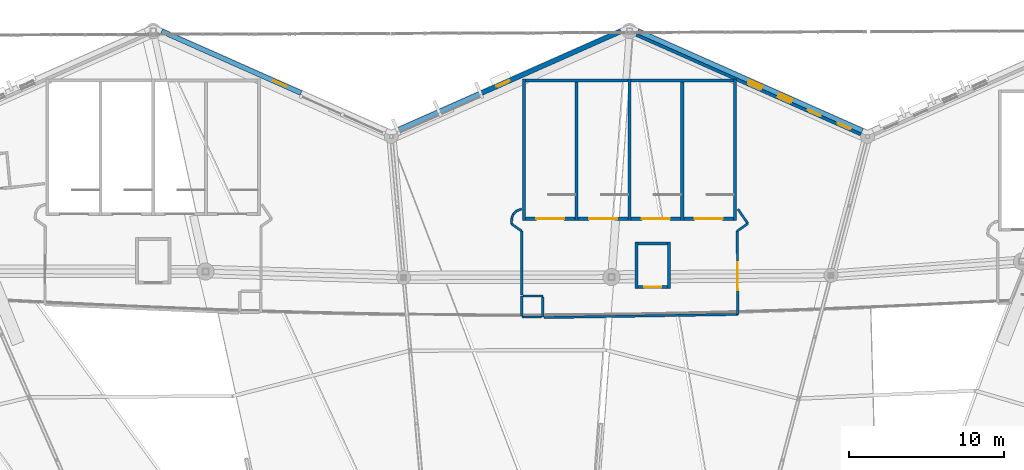
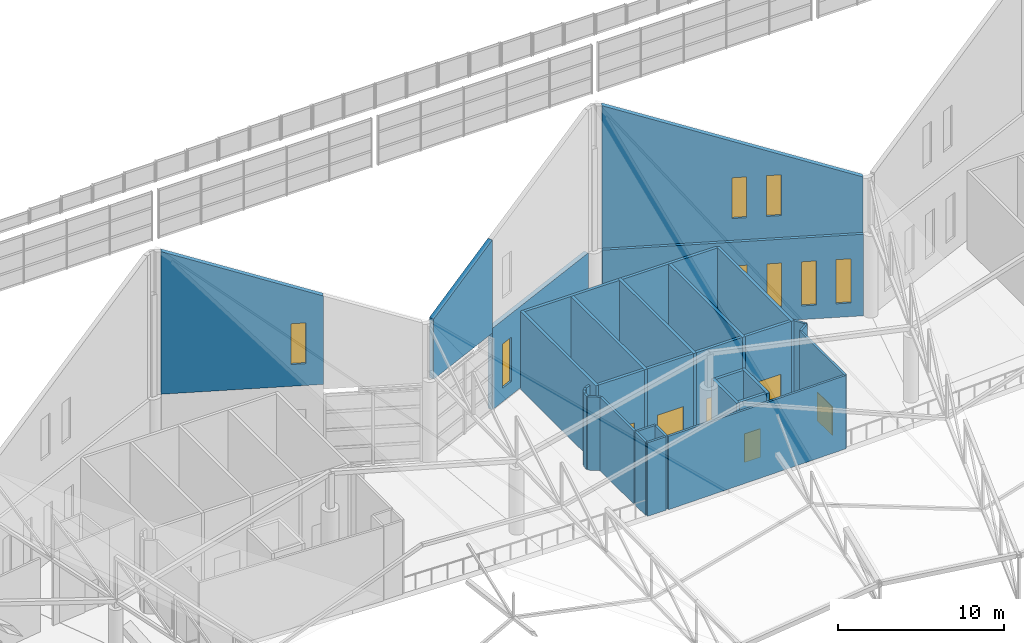
# One storey, part 267 of 344: 34 walls, 8 windows, 6 doors, 14 openings.
"""IFC4 building model written with IfcOpenShell, lengths in metres."""

from ifc_helpers import new_model, si_unit, direction, frame, frame_2d, origin, place, context, subcontext, project, spatial, polyline, rectangle, outline, extrude, material, layer, layer_set, type_object, element, fill, save


model = new_model("IFC4")

# Units and contexts
model_context = context("Model", 3, precision=1e-05, world=origin(), true_north=direction((0.0, 1.0)))
body_context = subcontext(model_context, "Body", "Model", "MODEL_VIEW")
ifc_project = project(units=[si_unit("LENGTHUNIT", "METRE"), si_unit("AREAUNIT", "SQUARE_METRE"), si_unit("VOLUMEUNIT", "CUBIC_METRE"), si_unit("PLANEANGLEUNIT", "RADIAN"), si_unit("MASSUNIT", "GRAM", prefix="KILO")], contexts=[model_context])

# Site, building, storey
site_placement = place(None, origin())
site = spatial("IfcSite", under=ifc_project, at=site_placement, CompositionType="ELEMENT")
building_placement = place(site_placement, origin())
building = spatial("IfcBuilding", under=site, at=building_placement, Name="Meseta Stadium", CompositionType="ELEMENT")
storey_placement = place(building_placement, frame((0.0, 0.0, 24.0)))
storey = spatial("IfcBuildingStorey", under=building, at=storey_placement, Name="L04", CompositionType="ELEMENT", Elevation=24.0)

# Walls
ifc_material_1 = material(Name="Concrete C40/50", Category="concrete")
ifc_layer_1 = layer(ifc_material_1, 0.199951171875)
ifc_layer_set_1 = layer_set([ifc_layer_1], Name="Core divider wall 200")
wall_type_1 = type_object("IfcWallType", Name="Core divider wall 200", PredefinedType="SHEAR", material=ifc_layer_set_1)
for number, where, z_axis, x_axis, name in (
    (1, (11.066650390625, 102.300048828125, 0.0), (0.0, 0.0, 1.0), (0.0, -1.0, 0.0), "Core 10 L04 stair A divider wall"),
    (2, (4.2666015625, 102.300048828125, 0.0), (0.0, 0.0, 1.0), (0.0, -1.0, 0.0), "Core 10 L04 stair B divider wall"),
):
    element("IfcWall", number, at=place(storey_placement, frame(where, z_axis=z_axis, x_axis=x_axis)), inside=storey, type_object=wall_type_1, Name=name, PredefinedType="SHEAR", context=body_context, shape_type="SweptSolid", body=[
        extrude(rectangle(XDim=9.10009765625, YDim=0.199951171875, at=frame_2d((4.550048828125, 0.0))), origin(), (0.0, 0.0, 1.0), 5.75),
    ])
ifc_material_2 = material(Name="Concrete C40/50", Category="concrete")
ifc_layer_2 = layer(ifc_material_2, 0.199951171875)
ifc_layer_set_2 = layer_set([ifc_layer_2], Name="Core shaft wall 200")
wall_type_2 = type_object("IfcWallType", Name="Core shaft wall 200", PredefinedType="SHEAR", material=ifc_layer_set_2)
for number, where, z_axis, x_axis, name in (
    (3, (14.466796875, 102.300048828125, 0.0), (0.0, 0.0, 1.0), (0.0, -1.0, 0.0), "Core 10 L04 stair wall A-side"),
    (4, (7.666748046875, 102.300048828125, 0.0), (0.0, 0.0, 1.0), (0.0, -1.0, 0.0), "Core 10 L04 stair wall shared"),
    (5, (0.86669921875, 102.300048828125, 0.0), (0.0, 0.0, 1.0), (0.0, -1.0, 0.0), "Core 10 L04 stair wall B-side"),
):
    element("IfcWall", number, at=place(storey_placement, frame(where, z_axis=z_axis, x_axis=x_axis)), inside=storey, type_object=wall_type_2, Name=name, PredefinedType="SHEAR", context=body_context, shape_type="SweptSolid", body=[
        extrude(rectangle(XDim=9.10009765625, YDim=0.199951171875, at=frame_2d((4.550048828125, 0.0))), origin(), (0.0, 0.0, 1.0), 5.75),
    ])
wall_1_placement = place(storey_placement, frame((14.36669921875, 102.199951171875, 0.0), z_axis=(0.0, 0.0, 1.0), x_axis=(-1.0, 0.0, 0.0)))
element("IfcWall", 6, at=wall_1_placement, inside=storey, type_object=wall_type_2, Name="Core 10 L04 stair A outer end wall", PredefinedType="SHEAR", context=body_context, shape_type="SweptSolid", body=[
    extrude(rectangle(XDim=6.60009765625, YDim=0.199951171875, at=frame_2d((3.300048828125, 0.0))), origin(), (0.0, 0.0, 1.0), 5.75),
])
wall_2_placement = place(storey_placement, frame((7.566650390625, 102.199951171875, 0.0), z_axis=(0.0, 0.0, 1.0), x_axis=(-1.0, 0.0, 0.0)))
element("IfcWall", 7, at=wall_2_placement, inside=storey, type_object=wall_type_2, Name="Core 10 L04 stair B outer end wall", PredefinedType="SHEAR", context=body_context, shape_type="SweptSolid", body=[
    extrude(rectangle(XDim=6.599853515625, YDim=0.199951171875, at=frame_2d((3.2998046875, 0.0))), origin(), (0.0, 0.0, 1.0), 5.75),
])

# Wall, opening, door
wall_3_placement = place(storey_placement, frame((14.36669921875, 93.300048828125, 0.0), z_axis=(0.0, 0.0, 1.0), x_axis=(-1.0, 0.0, 0.0)))
wall_3 = element("IfcWall", 8, at=wall_3_placement, inside=storey, type_object=wall_type_2, Name="Core 10 L04 stair A1 inner end wall", PredefinedType="SHEAR", context=body_context, shape_type="SweptSolid", body=[
    extrude(rectangle(XDim=3.199951171875, YDim=0.199951171875, at=frame_2d((1.60009765625, 0.0))), origin(), (0.0, 0.0, 1.0), 5.75),
])
opening_1_placement = place(wall_3_placement, frame((0.699951171875, 0.0, 0.0)))
opening_1 = element("IfcOpeningElement", 9, at=opening_1_placement, cuts=wall_3, Name="Opening D1591", PredefinedType="OPENING", context=body_context, shape_type="SweptSolid", body=[
    extrude(rectangle(XDim=1.800048828125, YDim=2.10009765625, at=frame_2d((0.89990234375, 1.050048828125))), frame((0.0, 0.10986328125, 0.0), z_axis=(0.0, -1.0, 0.0), x_axis=(1.0, 0.0, 0.0)), (0.0, 0.0, 1.0), 0.219970703125),
])
ifc_material_3 = material(Name="Steel", Category="steel")
door_type_1 = type_object("IfcDoorType", Name="Stair door 1800x2100", OperationType="DOUBLE_DOOR_SINGLE_SWING", PredefinedType="DOOR", material=ifc_material_3)
door_1_placement = place(opening_1_placement, origin())
door_1 = element("IfcDoor", 10, at=door_1_placement, inside=storey, type_object=door_type_1, Name="Stair A1 door 10 L04", OperationType="DOUBLE_DOOR_SINGLE_SWING", OverallHeight=2.10009765625, OverallWidth=1.800048828125, PredefinedType="DOOR", context=body_context, shape_type="SweptSolid", body=[
    extrude(rectangle(XDim=1.800048828125, YDim=2.10009765625, at=frame_2d((0.89990234375, 1.050048828125))), frame((0.0, 0.02490234375, 0.0), z_axis=(0.0, -1.0, 0.0), x_axis=(1.0, 0.0, 0.0)), (0.0, 0.0, 1.0), 0.050048828125),
])
fill(opening_1, door_1)

wall_4_placement = place(storey_placement, frame((10.966796875, 93.300048828125, 0.0), z_axis=(0.0, 0.0, 1.0), x_axis=(-1.0, 0.0, 0.0)))
wall_4 = element("IfcWall", 11, at=wall_4_placement, inside=storey, type_object=wall_type_2, Name="Core 10 L04 stair A2 inner end wall", PredefinedType="SHEAR", context=body_context, shape_type="SweptSolid", body=[
    extrude(rectangle(XDim=3.2001953125, YDim=0.199951171875, at=frame_2d((1.60009765625, 0.0))), origin(), (0.0, 0.0, 1.0), 5.75),
])
opening_2_placement = place(wall_4_placement, frame((0.699951171875, 0.0, 0.0)))
opening_2 = element("IfcOpeningElement", 12, at=opening_2_placement, cuts=wall_4, Name="Opening D1590", PredefinedType="OPENING", context=body_context, shape_type="SweptSolid", body=[
    extrude(rectangle(XDim=1.800048828125, YDim=2.10009765625, at=frame_2d((0.89990234375, 1.050048828125))), frame((0.0, 0.10986328125, 0.0), z_axis=(0.0, -1.0, 0.0), x_axis=(1.0, 0.0, 0.0)), (0.0, 0.0, 1.0), 0.219970703125),
])
door_2_placement = place(opening_2_placement, origin())
door_2 = element("IfcDoor", 13, at=door_2_placement, inside=storey, type_object=door_type_1, Name="Stair A2 door 10 L04", OperationType="DOUBLE_DOOR_SINGLE_SWING", OverallHeight=2.10009765625, OverallWidth=1.800048828125, PredefinedType="DOOR", context=body_context, shape_type="SweptSolid", body=[
    extrude(rectangle(XDim=1.800048828125, YDim=2.10009765625, at=frame_2d((0.89990234375, 1.050048828125))), frame((0.0, 0.02490234375, 0.0), z_axis=(0.0, -1.0, 0.0), x_axis=(1.0, 0.0, 0.0)), (0.0, 0.0, 1.0), 0.050048828125),
])
fill(opening_2, door_2)

wall_5_placement = place(storey_placement, frame((7.566650390625, 93.300048828125, 0.0), z_axis=(0.0, 0.0, 1.0), x_axis=(-1.0, 0.0, 0.0)))
wall_5 = element("IfcWall", 14, at=wall_5_placement, inside=storey, type_object=wall_type_2, Name="Core 10 L04 stair B1 inner end wall", PredefinedType="SHEAR", context=body_context, shape_type="SweptSolid", body=[
    extrude(rectangle(XDim=3.199951171875, YDim=0.199951171875, at=frame_2d((1.60009765625, 0.0))), origin(), (0.0, 0.0, 1.0), 5.75),
])
opening_3_placement = place(wall_5_placement, frame((0.699951171875, 0.0, 0.0)))
opening_3 = element("IfcOpeningElement", 15, at=opening_3_placement, cuts=wall_5, Name="Opening D1589", PredefinedType="OPENING", context=body_context, shape_type="SweptSolid", body=[
    extrude(rectangle(XDim=1.800048828125, YDim=2.10009765625, at=frame_2d((0.89990234375, 1.050048828125))), frame((0.0, 0.10986328125, 0.0), z_axis=(0.0, -1.0, 0.0), x_axis=(1.0, 0.0, 0.0)), (0.0, 0.0, 1.0), 0.219970703125),
])
door_3_placement = place(opening_3_placement, origin())
door_3 = element("IfcDoor", 16, at=door_3_placement, inside=storey, type_object=door_type_1, Name="Stair B1 door 10 L04", OperationType="DOUBLE_DOOR_SINGLE_SWING", OverallHeight=2.10009765625, OverallWidth=1.800048828125, PredefinedType="DOOR", context=body_context, shape_type="SweptSolid", body=[
    extrude(rectangle(XDim=1.800048828125, YDim=2.10009765625, at=frame_2d((0.89990234375, 1.050048828125))), frame((0.0, 0.02490234375, 0.0), z_axis=(0.0, -1.0, 0.0), x_axis=(1.0, 0.0, 0.0)), (0.0, 0.0, 1.0), 0.050048828125),
])
fill(opening_3, door_3)

wall_6_placement = place(storey_placement, frame((4.166748046875, 93.300048828125, 0.0), z_axis=(0.0, 0.0, 1.0), x_axis=(-1.0, 0.0, 0.0)))
wall_6 = element("IfcWall", 17, at=wall_6_placement, inside=storey, type_object=wall_type_2, Name="Core 10 L04 stair B2 inner end wall", PredefinedType="SHEAR", context=body_context, shape_type="SweptSolid", body=[
    extrude(rectangle(XDim=3.199951171875, YDim=0.199951171875, at=frame_2d((1.60009765625, 0.0))), origin(), (0.0, 0.0, 1.0), 5.75),
])
opening_4_placement = place(wall_6_placement, frame((0.699951171875, 0.0, 0.0)))
opening_4 = element("IfcOpeningElement", 18, at=opening_4_placement, cuts=wall_6, Name="Opening D1588", PredefinedType="OPENING", context=body_context, shape_type="SweptSolid", body=[
    extrude(rectangle(XDim=1.800048828125, YDim=2.10009765625, at=frame_2d((0.89990234375, 1.050048828125))), frame((0.0, 0.10986328125, 0.0), z_axis=(0.0, -1.0, 0.0), x_axis=(1.0, 0.0, 0.0)), (0.0, 0.0, 1.0), 0.219970703125),
])
door_4_placement = place(opening_4_placement, origin())
door_4 = element("IfcDoor", 19, at=door_4_placement, inside=storey, type_object=door_type_1, Name="Stair B2 door 10 L04", OperationType="DOUBLE_DOOR_SINGLE_SWING", OverallHeight=2.10009765625, OverallWidth=1.800048828125, PredefinedType="DOOR", context=body_context, shape_type="SweptSolid", body=[
    extrude(rectangle(XDim=1.800048828125, YDim=2.10009765625, at=frame_2d((0.89990234375, 1.050048828125))), frame((0.0, 0.02490234375, 0.0), z_axis=(0.0, -1.0, 0.0), x_axis=(1.0, 0.0, 0.0)), (0.0, 0.0, 1.0), 0.050048828125),
])
fill(opening_4, door_4)

# Walls
for number, where, z_axis, x_axis, name in (
    (20, (10.216796875, 91.800048828125, 0.0), (0.0, 0.0, 1.0), (0.0, -1.0, 0.0), "Core 10 L04 lift shaft wall left"),
    (21, (8.11669921875, 91.800048828125, 0.0), (0.0, 0.0, 1.0), (0.0, -1.0, 0.0), "Core 10 L04 lift shaft wall right"),
):
    element("IfcWall", number, at=place(storey_placement, frame(where, z_axis=z_axis, x_axis=x_axis)), inside=storey, type_object=wall_type_2, Name=name, PredefinedType="SHEAR", context=body_context, shape_type="SweptSolid", body=[
        extrude(rectangle(XDim=3.0, YDim=0.199951171875, at=frame_2d((1.5, 0.0))), origin(), (0.0, 0.0, 1.0), 4.60009765625),
    ])
wall_7_placement = place(storey_placement, frame((10.11669921875, 91.699951171875, 0.0), z_axis=(0.0, 0.0, 1.0), x_axis=(-1.0, 0.0, 0.0)))
element("IfcWall", 22, at=wall_7_placement, inside=storey, type_object=wall_type_2, Name="Core 10 L04 lift shaft back wall", PredefinedType="SHEAR", context=body_context, shape_type="SweptSolid", body=[
    extrude(rectangle(XDim=1.89990234375, YDim=0.199951171875, at=frame_2d((0.949951171875, 0.0))), origin(), (0.0, 0.0, 1.0), 4.60009765625),
])

# Wall, opening, door
wall_8_placement = place(storey_placement, frame((10.11669921875, 88.89990234375, 0.0), z_axis=(0.0, 0.0, 1.0), x_axis=(-1.0, 0.0, 0.0)))
wall_8 = element("IfcWall", 23, at=wall_8_placement, inside=storey, type_object=wall_type_2, Name="Core 10 L04 lift shaft front wall", PredefinedType="SHEAR", context=body_context, shape_type="SweptSolid", body=[
    extrude(rectangle(XDim=1.89990234375, YDim=0.199951171875, at=frame_2d((0.949951171875, 0.0))), origin(), (0.0, 0.0, 1.0), 4.60009765625),
])
opening_5_placement = place(wall_8_placement, frame((0.39990234375, 0.0, 0.0)))
opening_5 = element("IfcOpeningElement", 24, at=opening_5_placement, cuts=wall_8, Name="Opening LD56", PredefinedType="OPENING", context=body_context, shape_type="SweptSolid", body=[
    extrude(rectangle(XDim=1.10009765625, YDim=2.10009765625, at=frame_2d((0.550048828125, 1.050048828125))), frame((0.0, 0.10986328125, 0.0), z_axis=(0.0, -1.0, 0.0), x_axis=(1.0, 0.0, 0.0)), (0.0, 0.0, 1.0), 0.219970703125),
])
ifc_material_4 = material(Name="Steel", Category="steel")
door_type_2 = type_object("IfcDoorType", Name="Lift landing door 1100x2100", OperationType="SLIDING_TO_LEFT", PredefinedType="DOOR", material=ifc_material_4)
door_5_placement = place(opening_5_placement, origin())
door_5 = element("IfcDoor", 25, at=door_5_placement, inside=storey, type_object=door_type_2, Name="Lift landing door LD56", OperationType="SLIDING_TO_RIGHT", OverallHeight=2.10009765625, OverallWidth=1.10009765625, PredefinedType="DOOR", context=body_context, shape_type="SweptSolid", body=[
    extrude(rectangle(XDim=1.10009765625, YDim=2.10009765625, at=frame_2d((0.550048828125, 1.050048828125))), frame((0.0, 0.02490234375, 0.0), z_axis=(0.0, -1.0, 0.0), x_axis=(1.0, 0.0, 0.0)), (0.0, 0.0, 1.0), 0.050048828125),
])
fill(opening_5, door_5)

# Walls
ifc_material_5 = material(Name="Masonry blockwork", Category="masonry")
ifc_layer_3 = layer(ifc_material_5, 0.14990234375)
ifc_layer_set_3 = layer_set([ifc_layer_3], Name="Partition 150")
wall_type_3 = type_object("IfcWallType", Name="Partition 150", PredefinedType="PARTITIONING", material=ifc_layer_set_3)
wall_9_placement = place(storey_placement, frame((2.091796875, 88.324951171875, 0.0), z_axis=(0.0, 0.0, 1.0), x_axis=(-1.0, 0.0, 0.0)))
element("IfcWall", 26, at=wall_9_placement, inside=storey, type_object=wall_type_3, Name="Pressurisation shaft wall L04 core 10", PredefinedType="PARTITIONING", context=body_context, shape_type="SweptSolid", body=[
    extrude(rectangle(XDim=1.275146484375, YDim=0.14990234375, at=frame_2d((0.6376953125, 0.0))), origin(), (0.0, 0.0, 1.0), 5.39990234375),
])
for number, where, z_axis, x_axis, name in (
    (27, (0.74169921875, 88.324951171875, 0.0), (0.0, 0.0, 1.0), (0.0, -1.0, 0.0), "Pressurisation shaft wall L04 core 10"),
    (28, (0.74169921875, 86.97509765625, 0.0), (0.0, 0.0, 1.0), (1.0, 0.0, 0.0), "Pressurisation shaft wall L04 core 10"),
    (29, (2.091796875, 86.97509765625, 0.0), (0.0, 0.0, 1.0), (0.0, 1.0, 0.0), "Pressurisation shaft wall L04 core 10"),
):
    element("IfcWall", number, at=place(storey_placement, frame(where, z_axis=z_axis, x_axis=x_axis)), inside=storey, type_object=wall_type_3, Name=name, PredefinedType="PARTITIONING", context=body_context, shape_type="SweptSolid", body=[
        extrude(rectangle(XDim=1.27490234375, YDim=0.14990234375, at=frame_2d((0.637451171875, 0.0))), origin(), (0.0, 0.0, 1.0), 5.39990234375),
    ])
wall_10_placement = place(storey_placement, frame((0.728271484375, 93.9287109375, 0.0), z_axis=(0.0, 0.0, 1.0), x_axis=(-0.937897537761, -0.346912393353, 0.0)))
element("IfcWall", 30, at=wall_10_placement, inside=storey, type_object=wall_type_3, Name="Stair vestibule wall L04 core 10", PredefinedType="PARTITIONING", context=body_context, shape_type="SweptSolid", body=[
    extrude(rectangle(XDim=0.356201171875, YDim=0.14990234375, at=frame_2d((0.17822265625, 0.0))), origin(), (0.0, 0.0, 1.0), 5.39990234375),
])
wall_11_placement = place(storey_placement, frame((0.394287109375, 93.80517578125, 0.0), z_axis=(0.0, 0.0, 1.0), x_axis=(-0.707106781187, -0.707106781187, 0.0)))
element("IfcWall", 31, at=wall_11_placement, inside=storey, type_object=wall_type_3, Name="Stair vestibule wall L04 core 10", PredefinedType="PARTITIONING", context=body_context, shape_type="SweptSolid", body=[
    extrude(rectangle(XDim=0.28515625, YDim=0.14990234375, at=frame_2d((0.142578125, 0.0))), origin(), (0.0, 0.0, 1.0), 5.39990234375),
])
wall_12_placement = place(storey_placement, frame((0.192626953125, 93.603515625, 0.0), z_axis=(0.0, 0.0, 1.0), x_axis=(-0.3830150227, -0.923742113572, 0.0)))
element("IfcWall", 32, at=wall_12_placement, inside=storey, type_object=wall_type_3, Name="Stair vestibule wall L04 core 10", PredefinedType="PARTITIONING", context=body_context, shape_type="SweptSolid", body=[
    extrude(rectangle(XDim=0.28173828125, YDim=0.14990234375, at=frame_2d((0.140869140625, 0.0))), origin(), (0.0, 0.0, 1.0), 5.39990234375),
])
wall_13_placement = place(storey_placement, frame((0.084716796875, 93.34326171875, 0.0), z_axis=(0.0, 0.0, 1.0), x_axis=(-0.038358216731, -0.999264052795, 0.0)))
element("IfcWall", 33, at=wall_13_placement, inside=storey, type_object=wall_type_3, Name="Stair vestibule wall L04 core 10", PredefinedType="PARTITIONING", context=body_context, shape_type="SweptSolid", body=[
    extrude(rectangle(XDim=0.37548828125, YDim=0.14990234375, at=frame_2d((0.187744140625, 0.0))), origin(), (0.0, 0.0, 1.0), 5.39990234375),
])
wall_14_placement = place(storey_placement, frame((0.0703125, 92.968017578125, 0.0), z_axis=(0.0, 0.0, 1.0), x_axis=(0.817587352425, -0.57580458591, 0.0)))
element("IfcWall", 34, at=wall_14_placement, inside=storey, type_object=wall_type_3, Name="Stair vestibule wall L04 core 10", PredefinedType="PARTITIONING", context=body_context, shape_type="SweptSolid", body=[
    extrude(rectangle(XDim=0.796630859375, YDim=0.14990234375, at=frame_2d((0.3984375, 0.0))), origin(), (0.0, 0.0, 1.0), 5.39990234375),
])
wall_15_placement = place(storey_placement, frame((0.7216796875, 92.50927734375, 0.0), z_axis=(0.0, 0.0, 1.0), x_axis=(0.0, -1.0, 0.0)))
element("IfcWall", 35, at=wall_15_placement, inside=storey, type_object=wall_type_3, Name="Stair vestibule wall L04 core 10", PredefinedType="PARTITIONING", context=body_context, shape_type="SweptSolid", body=[
    extrude(rectangle(XDim=4.103515625, YDim=0.14990234375, at=frame_2d((2.0517578125, 0.0))), origin(), (0.0, 0.0, 1.0), 5.39990234375),
])
wall_16_placement = place(storey_placement, frame((2.177978515625, 86.936767578125, 0.0), z_axis=(0.0, 0.0, 1.0), x_axis=(0.999864668818, 0.016451262841, 0.0)))
element("IfcWall", 36, at=wall_16_placement, inside=storey, type_object=wall_type_3, Name="Stair vestibule wall L04 core 10", PredefinedType="PARTITIONING", context=body_context, shape_type="SweptSolid", body=[
    extrude(rectangle(XDim=12.4658203125, YDim=0.14990234375, at=frame_2d((6.23291015625, 0.0))), origin(), (0.0, 0.0, 1.0), 5.39990234375),
])

# Wall, opening, door
wall_17_placement = place(storey_placement, frame((14.64208984375, 87.141845703125, 0.0), z_axis=(0.0, 0.0, 1.0), x_axis=(-0.005639862998, 0.999984095846, 0.0)))
wall_17 = element("IfcWall", 37, at=wall_17_placement, inside=storey, type_object=wall_type_3, Name="Stair vestibule wall L04 core 10", PredefinedType="PARTITIONING", context=body_context, shape_type="SweptSolid", body=[
    extrude(rectangle(XDim=5.36767578125, YDim=0.14990234375, at=frame_2d((2.683837890625, 0.0))), origin(), (0.0, 0.0, 1.0), 5.39990234375),
])
opening_6_placement = place(wall_17_placement, frame((1.550048828125, 0.0, 0.0)))
opening_6 = element("IfcOpeningElement", 38, at=opening_6_placement, cuts=wall_17, Name="Opening D1592", PredefinedType="OPENING", context=body_context, shape_type="SweptSolid", body=[
    extrude(rectangle(XDim=1.800048828125, YDim=2.10009765625, at=frame_2d((0.89990234375, 1.050048828125))), frame((0.0, 0.0849609375, 0.0), z_axis=(0.0, -1.0, 0.0), x_axis=(1.0, 0.0, 0.0)), (0.0, 0.0, 1.0), 0.169921875),
])
ifc_material_6 = material(Name="Steel", Category="steel")
door_type_3 = type_object("IfcDoorType", Name="Fire double door 1800x2100 EI2 60", OperationType="DOUBLE_DOOR_SINGLE_SWING", PredefinedType="DOOR", material=ifc_material_6)
door_6_placement = place(opening_6_placement, origin())
door_6 = element("IfcDoor", 39, at=door_6_placement, inside=storey, type_object=door_type_3, Name="Stair vestibule door L04 core 10", OperationType="DOUBLE_DOOR_SINGLE_SWING", OverallHeight=2.10009765625, OverallWidth=1.800048828125, PredefinedType="DOOR", context=body_context, shape_type="SweptSolid", body=[
    extrude(rectangle(XDim=1.800048828125, YDim=2.10009765625, at=frame_2d((0.89990234375, 1.050048828125))), frame((0.0, 0.02490234375, 0.0), z_axis=(0.0, -1.0, 0.0), x_axis=(1.0, 0.0, 0.0)), (0.0, 0.0, 1.0), 0.050048828125),
])
fill(opening_6, door_6)

# Walls
wall_18_placement = place(storey_placement, frame((14.61181640625, 92.509521484375, 0.0), z_axis=(0.0, 0.0, 1.0), x_axis=(0.817888493872, 0.575376756214, 0.0)))
element("IfcWall", 40, at=wall_18_placement, inside=storey, type_object=wall_type_3, Name="Stair vestibule wall L04 core 10", PredefinedType="PARTITIONING", context=body_context, shape_type="SweptSolid", body=[
    extrude(rectangle(XDim=0.82958984375, YDim=0.14990234375, at=frame_2d((0.414794921875, 0.0))), origin(), (0.0, 0.0, 1.0), 5.39990234375),
])
wall_19_placement = place(storey_placement, frame((15.290283203125, 92.98681640625, 0.0), z_axis=(0.0, 0.0, 1.0), x_axis=(-0.562120553728, 0.827055308354, 0.0)))
element("IfcWall", 41, at=wall_19_placement, inside=storey, type_object=wall_type_3, Name="Stair vestibule wall L04 core 10", PredefinedType="PARTITIONING", context=body_context, shape_type="SweptSolid", body=[
    extrude(rectangle(XDim=1.1279296875, YDim=0.14990234375, at=frame_2d((0.56396484375, 0.0))), origin(), (0.0, 0.0, 1.0), 5.39990234375),
])

# Wall, openings, windows
ifc_material_7 = material(Name="White precast concrete C40/50", Category="concrete")
ifc_layer_4 = layer(ifc_material_7, 0.320068359375)
ifc_layer_set_4 = layer_set([ifc_layer_4], Name="Pleated fascia panel 320 raked")
wall_type_4 = type_object("IfcWallType", Name="Pleated fascia panel 320 raked", PredefinedType="SOLIDWALL", material=ifc_layer_set_4)
wall_20_placement = place(storey_placement, frame((8.204345703125, 105.38037109375, 6.0), z_axis=(0.0, 0.0, 1.0), x_axis=(0.914138897099, -0.405401130748, 0.0)))
wall_20 = element("IfcWall", 42, at=wall_20_placement, inside=storey, type_object=wall_type_4, Name="Pleated fascia panel L04 F17", PredefinedType="SOLIDWALL", context=body_context, shape_type="SweptSolid", body=[
    extrude(outline(polyline([(0.0, 0.0), (15.824462890625, 0.0), (15.824462890625, 4.072265625), (0.0, 10.487548828125), (0.0, 0.0)])), frame((0.0, 0.16015625, 0.0), z_axis=(0.0, -1.0, 0.0), x_axis=(1.0, 0.0, 0.0)), (0.0, 0.0, 1.0), 0.320068359375),
])
opening_7_placement = place(wall_20_placement, frame((9.973876953125, 0.0, 1.60009765625)))
opening_7 = element("IfcOpeningElement", 43, at=opening_7_placement, cuts=wall_20, Name="Opening W261", PredefinedType="OPENING", context=body_context, shape_type="SweptSolid", body=[
    extrude(rectangle(XDim=0.89990234375, YDim=3.0, at=frame_2d((0.449951171875, 1.5))), frame((0.0, 0.169921875, 0.0), z_axis=(0.0, -1.0, 0.0), x_axis=(1.0, 0.0, 0.0)), (0.0, 0.0, 1.0), 0.340087890625),
])
opening_8_placement = place(wall_20_placement, frame((7.8740234375, 0.0, 1.60009765625)))
opening_8 = element("IfcOpeningElement", 44, at=opening_8_placement, cuts=wall_20, Name="Opening W259", PredefinedType="OPENING", context=body_context, shape_type="SweptSolid", body=[
    extrude(rectangle(XDim=0.89990234375, YDim=3.0, at=frame_2d((0.449951171875, 1.5))), frame((0.0, 0.169921875, 0.0), z_axis=(0.0, -1.0, 0.0), x_axis=(1.0, 0.0, 0.0)), (0.0, 0.0, 1.0), 0.340087890625),
])
ifc_material_8 = material(Name="Aluminium", Category="aluminium")
window_type_1 = type_object("IfcWindowType", Name="Slot window 900x3000", PartitioningType="SINGLE_PANEL", PredefinedType="WINDOW", material=ifc_material_8)
window_1_placement = place(opening_7_placement, origin())
window_1 = element("IfcWindow", 45, at=window_1_placement, inside=storey, type_object=window_type_1, Name="Slot window L04 F17.3", OverallHeight=3.0, OverallWidth=0.89990234375, PartitioningType="SINGLE_PANEL", PredefinedType="WINDOW", context=body_context, shape_type="SweptSolid", body=[
    extrude(rectangle(XDim=0.89990234375, YDim=3.0, at=frame_2d((0.449951171875, 1.5))), frame((0.0, 0.030029296875, 0.0), z_axis=(0.0, -1.0, 0.0), x_axis=(1.0, 0.0, 0.0)), (0.0, 0.0, 1.0), 0.06005859375),
])
fill(opening_7, window_1)
window_2_placement = place(opening_8_placement, origin())
window_2 = element("IfcWindow", 46, at=window_2_placement, inside=storey, type_object=window_type_1, Name="Slot window L04 F17.4", OverallHeight=3.0, OverallWidth=0.89990234375, PartitioningType="SINGLE_PANEL", PredefinedType="WINDOW", context=body_context, shape_type="SweptSolid", body=[
    extrude(rectangle(XDim=0.89990234375, YDim=3.0, at=frame_2d((0.449951171875, 1.5))), frame((0.0, 0.030029296875, 0.0), z_axis=(0.0, -1.0, 0.0), x_axis=(1.0, 0.0, 0.0)), (0.0, 0.0, 1.0), 0.06005859375),
])
fill(opening_8, window_2)

# Wall
wall_21_placement = place(storey_placement, frame((-7.336669921875, 98.965087890625, 5.64990234375), z_axis=(0.0, 0.0, 1.0), x_axis=(0.914141799863, 0.405394585242, 0.0)))
element("IfcWall", 47, at=wall_21_placement, inside=storey, type_object=wall_type_4, Name="Pleated facade panel above atrium F18", PredefinedType="SOLIDWALL", context=body_context, shape_type="SweptSolid", body=[
    extrude(outline(polyline([(0.0, 0.0), (6.0, 0.0), (6.0, 6.854736328125), (0.0, 4.42236328125), (0.0, 0.0)])), frame((0.0, 0.16015625, 0.0), z_axis=(0.0, -1.0, 0.0), x_axis=(1.0, 0.0, 0.0)), (0.0, 0.0, 1.0), 0.320068359375),
])

# Wall, opening, window
wall_22_placement = place(storey_placement, frame((-22.462158203125, 105.38037109375, 6.0), z_axis=(0.0, 0.0, 1.0), x_axis=(0.914133039962, -0.405414337745, 0.0)))
wall_22 = element("IfcWall", 48, at=wall_22_placement, inside=storey, type_object=wall_type_4, Name="Pleated fascia panel L04 F19", PredefinedType="SOLIDWALL", context=body_context, shape_type="SweptSolid", body=[
    extrude(outline(polyline([(0.0, 0.0), (9.82421875, 0.0), (9.824462890625, 6.504638671875), (0.0, 10.487548828125), (0.0, 0.0)])), frame((0.0, 0.16015625, 0.0), z_axis=(0.0, -1.0, 0.0), x_axis=(1.0, 0.0, 0.0)), (0.0, 0.0, 1.0), 0.320068359375),
])
opening_9_placement = place(wall_22_placement, frame((7.8740234375, 0.0, 1.60009765625)))
opening_9 = element("IfcOpeningElement", 49, at=opening_9_placement, cuts=wall_22, Name="Opening W253", PredefinedType="OPENING", context=body_context, shape_type="SweptSolid", body=[
    extrude(rectangle(XDim=0.89990234375, YDim=3.0, at=frame_2d((0.449951171875, 1.5))), frame((0.0, 0.169921875, 0.0), z_axis=(0.0, -1.0, 0.0), x_axis=(1.0, 0.0, 0.0)), (0.0, 0.0, 1.0), 0.340087890625),
])
window_3_placement = place(opening_9_placement, origin())
window_3 = element("IfcWindow", 50, at=window_3_placement, inside=storey, type_object=window_type_1, Name="Slot window L04 F19.4", OverallHeight=3.0, OverallWidth=0.89990234375, PartitioningType="SINGLE_PANEL", PredefinedType="WINDOW", context=body_context, shape_type="SweptSolid", body=[
    extrude(rectangle(XDim=0.89990234375, YDim=3.0, at=frame_2d((0.449951171875, 1.5))), frame((0.0, 0.030029296875, 0.0), z_axis=(0.0, -1.0, 0.0), x_axis=(1.0, 0.0, 0.0)), (0.0, 0.0, 1.0), 0.06005859375),
])
fill(opening_9, window_3)

# Wall, openings, windows
ifc_material_9 = material(Name="White precast concrete C40/50", Category="concrete")
ifc_layer_5 = layer(ifc_material_9, 0.320068359375)
ifc_layer_set_5 = layer_set([ifc_layer_5], Name="Pleated panel wall 320")
wall_type_5 = type_object("IfcWallType", Name="Pleated panel wall 320", PredefinedType="SOLIDWALL", material=ifc_layer_set_5)
wall_23_placement = place(storey_placement, frame((8.123291015625, 105.197509765625, 0.0), z_axis=(0.0, 0.0, 1.0), x_axis=(0.914138897099, -0.405401130748, 0.0)))
wall_23 = element("IfcWall", 51, at=wall_23_placement, inside=storey, type_object=wall_type_5, Name="Pleated facade panel L04 F17", PredefinedType="SOLIDWALL", context=body_context, shape_type="SweptSolid", body=[
    extrude(rectangle(XDim=15.824462890625, YDim=0.320068359375, at=frame_2d((7.912109375, 0.0))), origin(), (0.0, 0.0, 1.0), 6.0),
])
opening_10_placement = place(wall_23_placement, frame((14.174072265625, 0.0, 1.0)))
opening_10 = element("IfcOpeningElement", 52, at=opening_10_placement, cuts=wall_23, Name="Opening W263", PredefinedType="OPENING", context=body_context, shape_type="SweptSolid", body=[
    extrude(rectangle(XDim=0.89990234375, YDim=3.25, at=frame_2d((0.449951171875, 1.625))), frame((0.0, 0.169921875, 0.0), z_axis=(0.0, -1.0, 0.0), x_axis=(1.0, 0.0, 0.0)), (0.0, 0.0, 1.0), 0.340087890625),
])
opening_11_placement = place(wall_23_placement, frame((12.073974609375, 0.0, 1.0)))
opening_11 = element("IfcOpeningElement", 53, at=opening_11_placement, cuts=wall_23, Name="Opening W262", PredefinedType="OPENING", context=body_context, shape_type="SweptSolid", body=[
    extrude(rectangle(XDim=0.89990234375, YDim=3.25, at=frame_2d((0.449951171875, 1.625))), frame((0.0, 0.169921875, 0.0), z_axis=(0.0, -1.0, 0.0), x_axis=(1.0, 0.0, 0.0)), (0.0, 0.0, 1.0), 0.340087890625),
])
opening_12_placement = place(wall_23_placement, frame((9.973876953125, 0.0, 1.0)))
opening_12 = element("IfcOpeningElement", 54, at=opening_12_placement, cuts=wall_23, Name="Opening W260", PredefinedType="OPENING", context=body_context, shape_type="SweptSolid", body=[
    extrude(rectangle(XDim=0.89990234375, YDim=3.25, at=frame_2d((0.449951171875, 1.625))), frame((0.0, 0.169921875, 0.0), z_axis=(0.0, -1.0, 0.0), x_axis=(1.0, 0.0, 0.0)), (0.0, 0.0, 1.0), 0.340087890625),
])
opening_13_placement = place(wall_23_placement, frame((7.8740234375, 0.0, 1.0)))
opening_13 = element("IfcOpeningElement", 55, at=opening_13_placement, cuts=wall_23, Name="Opening W258", PredefinedType="OPENING", context=body_context, shape_type="SweptSolid", body=[
    extrude(rectangle(XDim=0.89990234375, YDim=3.25, at=frame_2d((0.449951171875, 1.625))), frame((0.0, 0.169921875, 0.0), z_axis=(0.0, -1.0, 0.0), x_axis=(1.0, 0.0, 0.0)), (0.0, 0.0, 1.0), 0.340087890625),
])
ifc_material_10 = material(Name="Aluminium", Category="aluminium")
window_type_2 = type_object("IfcWindowType", Name="Slot window 900x3250", PartitioningType="SINGLE_PANEL", PredefinedType="WINDOW", material=ifc_material_10)
window_4_placement = place(opening_10_placement, origin())
window_4 = element("IfcWindow", 56, at=window_4_placement, inside=storey, type_object=window_type_2, Name="Slot window L04 F17.1", OverallHeight=3.25, OverallWidth=0.89990234375, PartitioningType="SINGLE_PANEL", PredefinedType="WINDOW", context=body_context, shape_type="SweptSolid", body=[
    extrude(rectangle(XDim=0.89990234375, YDim=3.25, at=frame_2d((0.449951171875, 1.625))), frame((0.0, 0.030029296875, 0.0), z_axis=(0.0, -1.0, 0.0), x_axis=(1.0, 0.0, 0.0)), (0.0, 0.0, 1.0), 0.06005859375),
])
fill(opening_10, window_4)
window_5_placement = place(opening_11_placement, origin())
window_5 = element("IfcWindow", 57, at=window_5_placement, inside=storey, type_object=window_type_2, Name="Slot window L04 F17.2", OverallHeight=3.25, OverallWidth=0.89990234375, PartitioningType="SINGLE_PANEL", PredefinedType="WINDOW", context=body_context, shape_type="SweptSolid", body=[
    extrude(rectangle(XDim=0.89990234375, YDim=3.25, at=frame_2d((0.449951171875, 1.625))), frame((0.0, 0.030029296875, 0.0), z_axis=(0.0, -1.0, 0.0), x_axis=(1.0, 0.0, 0.0)), (0.0, 0.0, 1.0), 0.06005859375),
])
fill(opening_11, window_5)
window_6_placement = place(opening_12_placement, origin())
window_6 = element("IfcWindow", 58, at=window_6_placement, inside=storey, type_object=window_type_2, Name="Slot window L04 F17.3", OverallHeight=3.25, OverallWidth=0.89990234375, PartitioningType="SINGLE_PANEL", PredefinedType="WINDOW", context=body_context, shape_type="SweptSolid", body=[
    extrude(rectangle(XDim=0.89990234375, YDim=3.25, at=frame_2d((0.449951171875, 1.625))), frame((0.0, 0.030029296875, 0.0), z_axis=(0.0, -1.0, 0.0), x_axis=(1.0, 0.0, 0.0)), (0.0, 0.0, 1.0), 0.06005859375),
])
fill(opening_12, window_6)
window_7_placement = place(opening_13_placement, origin())
window_7 = element("IfcWindow", 59, at=window_7_placement, inside=storey, type_object=window_type_2, Name="Slot window L04 F17.4", OverallHeight=3.25, OverallWidth=0.89990234375, PartitioningType="SINGLE_PANEL", PredefinedType="WINDOW", context=body_context, shape_type="SweptSolid", body=[
    extrude(rectangle(XDim=0.89990234375, YDim=3.25, at=frame_2d((0.449951171875, 1.625))), frame((0.0, 0.030029296875, 0.0), z_axis=(0.0, -1.0, 0.0), x_axis=(1.0, 0.0, 0.0)), (0.0, 0.0, 1.0), 0.06005859375),
])
fill(opening_13, window_7)

# Wall, opening, window
wall_24_placement = place(storey_placement, frame((-1.851806640625, 101.3974609375, 0.0), z_axis=(0.0, 0.0, 1.0), x_axis=(0.914133039962, 0.405414337745, 0.0)))
wall_24 = element("IfcWall", 60, at=wall_24_placement, inside=storey, type_object=wall_type_5, Name="Pleated facade panel L04 F18", PredefinedType="SOLIDWALL", context=body_context, shape_type="SweptSolid", body=[
    extrude(rectangle(XDim=9.82421875, YDim=0.320068359375, at=frame_2d((4.912109375, 0.0))), origin(), (0.0, 0.0, 1.0), 6.0),
])
opening_14_placement = place(wall_24_placement, frame((1.05029296875, 0.0, 1.0)))
opening_14 = element("IfcOpeningElement", 61, at=opening_14_placement, cuts=wall_24, Name="Opening W254", PredefinedType="OPENING", context=body_context, shape_type="SweptSolid", body=[
    extrude(rectangle(XDim=0.89990234375, YDim=3.25, at=frame_2d((0.449951171875, 1.625))), frame((0.0, 0.169921875, 0.0), z_axis=(0.0, -1.0, 0.0), x_axis=(1.0, 0.0, 0.0)), (0.0, 0.0, 1.0), 0.340087890625),
])
window_8_placement = place(opening_14_placement, origin())
window_8 = element("IfcWindow", 62, at=window_8_placement, inside=storey, type_object=window_type_2, Name="Slot window L04 F18.4", OverallHeight=3.25, OverallWidth=0.89990234375, PartitioningType="SINGLE_PANEL", PredefinedType="WINDOW", context=body_context, shape_type="SweptSolid", body=[
    extrude(rectangle(XDim=0.89990234375, YDim=3.25, at=frame_2d((0.449951171875, 1.625))), frame((0.0, 0.030029296875, 0.0), z_axis=(0.0, -1.0, 0.0), x_axis=(1.0, 0.0, 0.0)), (0.0, 0.0, 1.0), 0.06005859375),
])
fill(opening_14, window_8)

save(model, "model.ifc")
